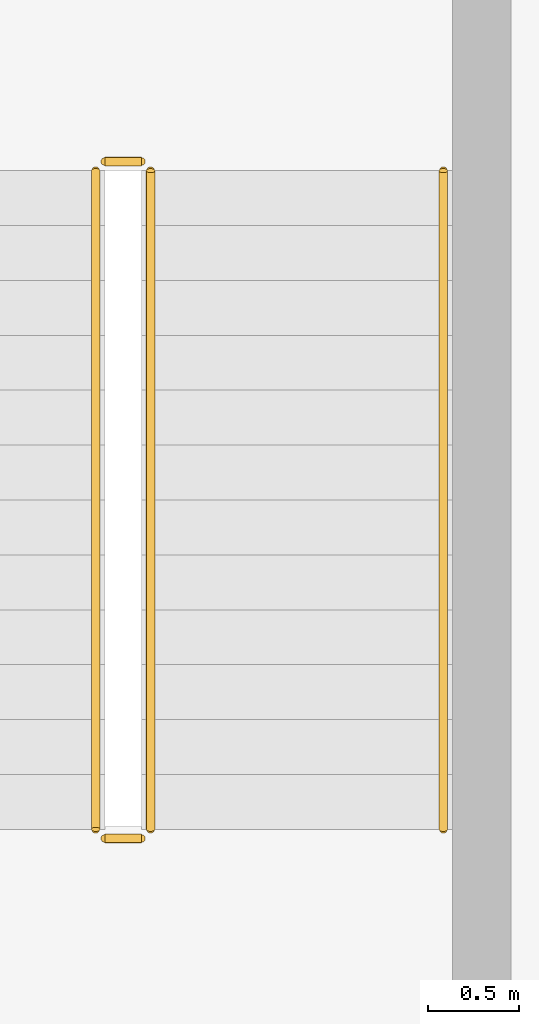
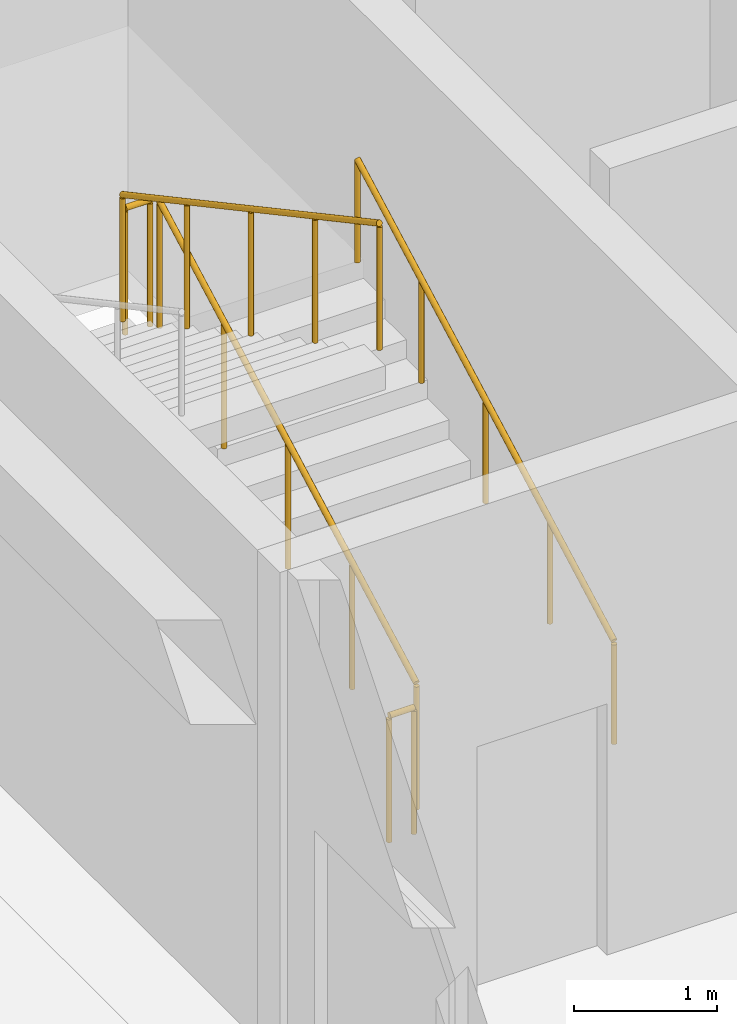
# One storey, part 24 of 27: 5 railings.
"""IFC4 building model written with IfcOpenShell, lengths in metres."""

from ifc_helpers import new_model, si_unit, direction, frame, origin, origin_2d, place, context, subcontext, project, spatial, circle, extrude, material, type_object, element, save


model = new_model("IFC4")

# Units and contexts
model_context = context("Model", 3, precision=1e-05, world=origin(), true_north=direction((0.0, 1.0)))
body_context = subcontext(model_context, "Body", "Model", "MODEL_VIEW")
ifc_project = project(units=[si_unit("LENGTHUNIT", "METRE"), si_unit("AREAUNIT", "SQUARE_METRE"), si_unit("VOLUMEUNIT", "CUBIC_METRE"), si_unit("PLANEANGLEUNIT", "RADIAN"), si_unit("MASSUNIT", "GRAM", prefix="KILO")], contexts=[model_context])

# Site, building, storey
site_placement = place(None, origin())
site = spatial("IfcSite", under=ifc_project, at=site_placement, CompositionType="ELEMENT")
building_placement = place(site_placement, origin())
building = spatial("IfcBuilding", under=site, at=building_placement, Name="Kenh Van Central Station", CompositionType="ELEMENT")
storey_placement = place(building_placement, frame((0.0, 0.0, 19.199951171875)))
storey = spatial("IfcBuildingStorey", under=building, at=storey_placement, Name="L04", CompositionType="ELEMENT", Elevation=19.199951171875)

# Railings
ifc_material = material(Name="Champagne anodised aluminium", Category="aluminium")
railing_type_1 = type_object("IfcRailingType", Name="RAIL-CORE-GRD110", PredefinedType="GUARDRAIL", material=ifc_material)
railing_1_placement = place(storey_placement, frame((154.949951171875, 30.10009765625, 0.16162109375)))
element("IfcRailing", 1, at=railing_1_placement, inside=storey, type_object=railing_type_1, Name="L04 ST-09 stair guard 1", PredefinedType="GUARDRAIL", context=body_context, shape_type="SweptSolid", body=[
    extrude(circle(Radius=0.02392578125, at=origin_2d()), frame((0.0, 0.0, 1.076171875), z_axis=(0.0, 0.880461512865, 0.474117627138), x_axis=(-1.0, 0.0, 0.0)), (0.0, 0.0, 1.0), 4.088623046875),
    extrude(circle(Radius=0.02099609375, at=origin_2d()), origin(), (0.0, 0.0, 1.0), 1.052001953125),
    extrude(circle(Radius=0.02099609375, at=origin_2d()), frame((0.0, 0.89990234375, 0.484619140625)), (0.0, 0.0, 1.0), 1.052001953125),
    extrude(circle(Radius=0.02099609375, at=origin_2d()), frame((0.0, 1.7998046875, 0.96923828125)), (0.0, 0.0, 1.0), 1.052001953125),
    extrude(circle(Radius=0.02099609375, at=origin_2d()), frame((0.0, 2.699951171875, 1.453857421875)), (0.0, 0.0, 1.0), 1.052001953125),
    extrude(circle(Radius=0.02099609375, at=origin_2d()), frame((0.0, 3.599853515625, 1.9384765625)), (0.0, 0.0, 1.0), 1.052001953125),
])
railing_2_placement = place(storey_placement, frame((154.89990234375, 33.75, 2.10009765625)))
element("IfcRailing", 2, at=railing_2_placement, inside=storey, type_object=railing_type_1, Name="L04 ST-09 stair guard 2", PredefinedType="GUARDRAIL", context=body_context, shape_type="SweptSolid", body=[
    extrude(circle(Radius=0.02392578125, at=origin_2d()), frame((0.0, 0.0, 1.076171875), z_axis=(-1.0, 0.0, 0.0), x_axis=(0.0, -1.0, 0.0)), (0.0, 0.0, 1.0), 0.199951171875),
    extrude(circle(Radius=0.02099609375, at=origin_2d()), origin(), (0.0, 0.0, 1.0), 1.052001953125),
    extrude(circle(Radius=0.02099609375, at=origin_2d()), frame((-0.199951171875, 0.0, 0.0)), (0.0, 0.0, 1.0), 1.052001953125),
])
railing_3_placement = place(storey_placement, frame((154.64990234375, 33.699951171875, 2.261474609375)))
element("IfcRailing", 3, at=railing_3_placement, inside=storey, type_object=railing_type_1, Name="L04 ST-09 stair guard 3", PredefinedType="GUARDRAIL", context=body_context, shape_type="SweptSolid", body=[
    extrude(circle(Radius=0.02392578125, at=origin_2d()), frame((0.0, 0.0, 1.076171875), z_axis=(0.0, -0.880461512865, 0.474117627138), x_axis=(1.0, 0.0, 0.0)), (0.0, 0.0, 1.0), 4.088623046875),
    extrude(circle(Radius=0.02099609375, at=origin_2d()), origin(), (0.0, 0.0, 1.0), 1.052001953125),
    extrude(circle(Radius=0.02099609375, at=origin_2d()), frame((0.0, -0.89990234375, 0.484619140625)), (0.0, 0.0, 1.0), 1.052001953125),
    extrude(circle(Radius=0.02099609375, at=origin_2d()), frame((0.0, -1.7998046875, 0.96923828125)), (0.0, 0.0, 1.0), 1.052001953125),
    extrude(circle(Radius=0.02099609375, at=origin_2d()), frame((0.0, -2.699951171875, 1.453857421875)), (0.0, 0.0, 1.0), 1.052001953125),
    extrude(circle(Radius=0.02099609375, at=origin_2d()), frame((0.0, -3.599853515625, 1.9384765625)), (0.0, 0.0, 1.0), 1.052001953125),
])
railing_4_placement = place(storey_placement, frame((154.89990234375, 30.050048828125, 0.0)))
element("IfcRailing", 4, at=railing_4_placement, inside=storey, type_object=railing_type_1, Name="L04 ST-09 stair guard 4", PredefinedType="GUARDRAIL", context=body_context, shape_type="SweptSolid", body=[
    extrude(circle(Radius=0.02392578125, at=origin_2d()), frame((0.0, 0.0, 1.076171875), z_axis=(-1.0, 0.0, 0.0), x_axis=(0.0, -1.0, 0.0)), (0.0, 0.0, 1.0), 0.199951171875),
    extrude(circle(Radius=0.02099609375, at=origin_2d()), origin(), (0.0, 0.0, 1.0), 1.052001953125),
    extrude(circle(Radius=0.02099609375, at=origin_2d()), frame((-0.199951171875, 0.0, 0.0)), (0.0, 0.0, 1.0), 1.052001953125),
])
railing_type_2 = type_object("IfcRailingType", Name="RAIL-CORE-HND90", PredefinedType="HANDRAIL", material=ifc_material)
railing_5_placement = place(storey_placement, frame((156.550048828125, 30.10009765625, 0.16162109375)))
element("IfcRailing", 5, at=railing_5_placement, inside=storey, type_object=railing_type_2, Name="L04 ST-09 stair handrail 1", PredefinedType="HANDRAIL", context=body_context, shape_type="SweptSolid", body=[
    extrude(circle(Radius=0.02392578125, at=origin_2d()), frame((0.0, 0.0, 0.8759765625), z_axis=(0.0, 0.880461512865, 0.474117627138), x_axis=(-1.0, 0.0, 0.0)), (0.0, 0.0, 1.0), 4.088623046875),
    extrude(circle(Radius=0.02099609375, at=origin_2d()), origin(), (0.0, 0.0, 1.0), 0.851806640625),
    extrude(circle(Radius=0.02099609375, at=origin_2d()), frame((0.0, 0.89990234375, 0.484619140625)), (0.0, 0.0, 1.0), 0.851806640625),
    extrude(circle(Radius=0.02099609375, at=origin_2d()), frame((0.0, 1.7998046875, 0.96923828125)), (0.0, 0.0, 1.0), 0.851806640625),
    extrude(circle(Radius=0.02099609375, at=origin_2d()), frame((0.0, 2.699951171875, 1.453857421875)), (0.0, 0.0, 1.0), 0.851806640625),
    extrude(circle(Radius=0.02099609375, at=origin_2d()), frame((0.0, 3.599853515625, 1.9384765625)), (0.0, 0.0, 1.0), 0.851806640625),
])

save(model, "model.ifc")
